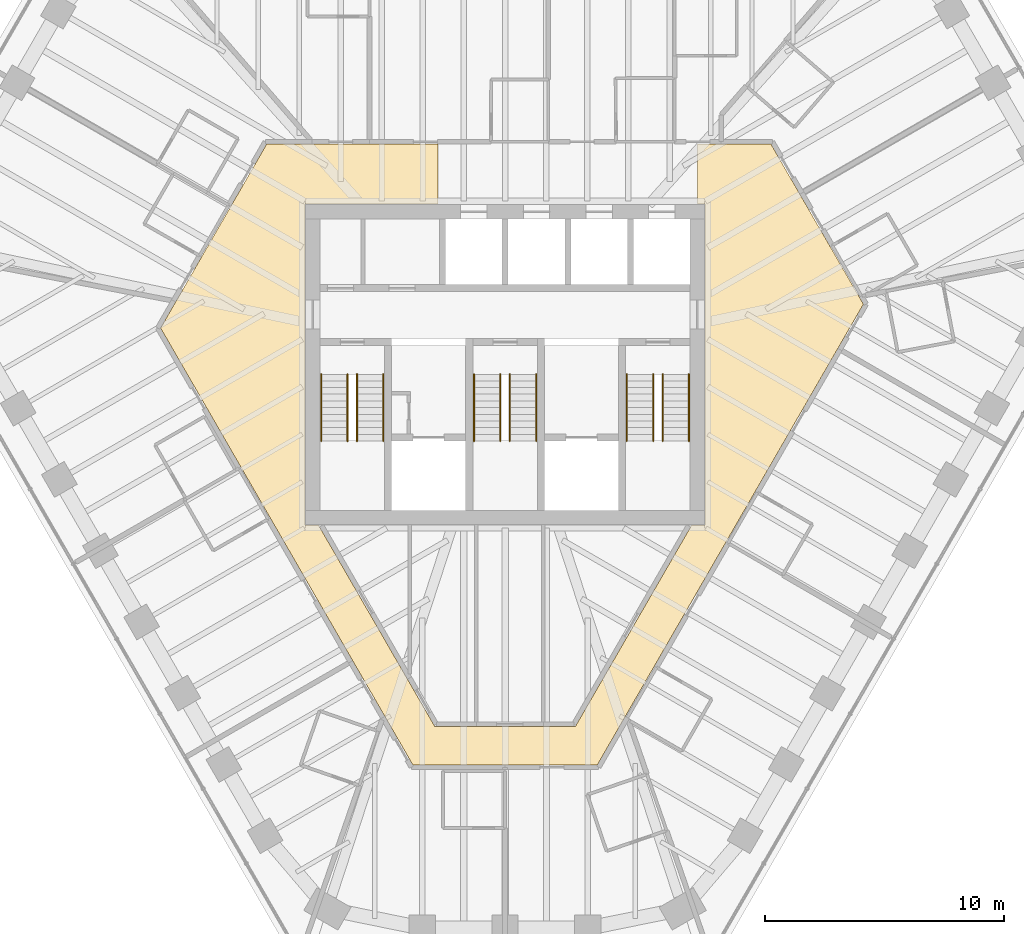
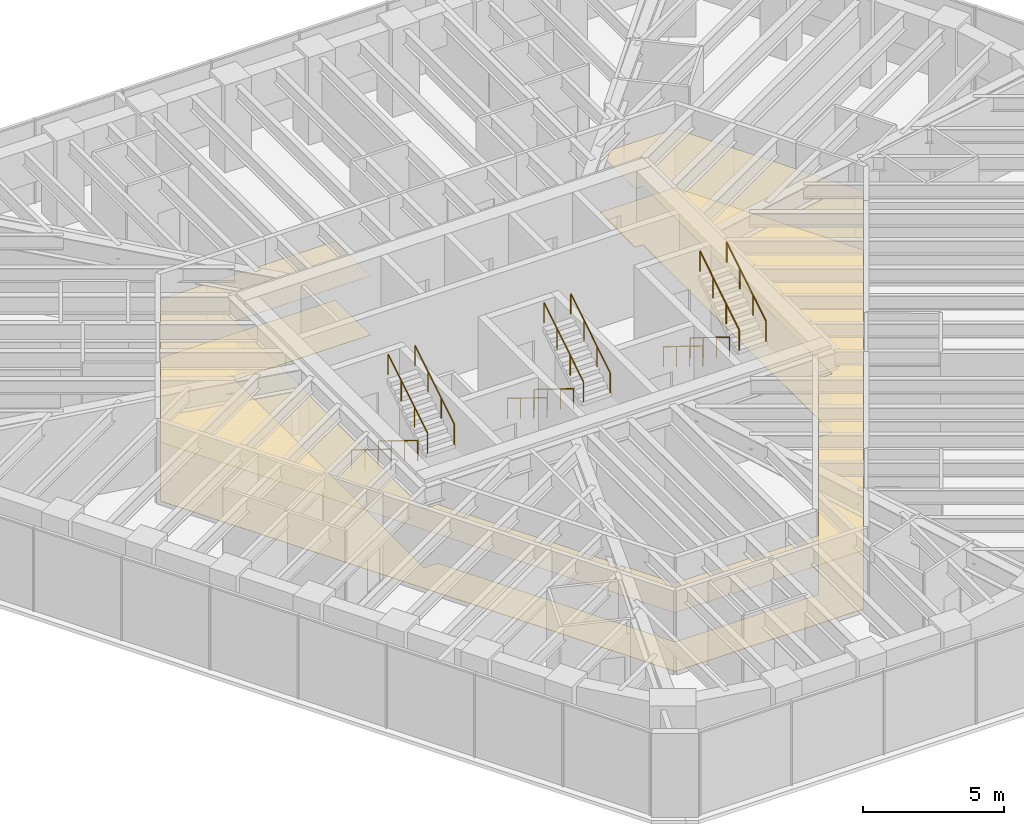
# One storey, part 14 of 14: 12 railings, 2 coverings.
"""IFC4 building model written with IfcOpenShell, lengths in metres."""

from ifc_helpers import new_model, si_unit, direction, frame, origin, origin_2d, place, context, subcontext, project, spatial, polyline, circle, outline, extrude, material, layer, layer_set, type_object, element, save


model = new_model("IFC4")

# Units and contexts
model_context = context("Model", 3, precision=1e-05, world=origin(), true_north=direction((0.0, 1.0)))
body_context = subcontext(model_context, "Body", "Model", "MODEL_VIEW")
ifc_project = project(units=[si_unit("LENGTHUNIT", "METRE"), si_unit("AREAUNIT", "SQUARE_METRE"), si_unit("VOLUMEUNIT", "CUBIC_METRE"), si_unit("PLANEANGLEUNIT", "RADIAN"), si_unit("MASSUNIT", "GRAM", prefix="KILO")], contexts=[model_context])

# Site, building, storey
site_placement = place(None, origin())
site = spatial("IfcSite", under=ifc_project, at=site_placement, CompositionType="ELEMENT")
building_placement = place(site_placement, origin())
building = spatial("IfcBuilding", under=site, at=building_placement, Name="Sandreach Pilgrim Tower", CompositionType="ELEMENT")
storey_placement = place(building_placement, frame((0.0, 0.0, 272.199951171875)))
storey = spatial("IfcBuildingStorey", under=building, at=storey_placement, Name="L68", CompositionType="ELEMENT", Elevation=272.199951171875)

# Coverings
ifc_material_1 = material(Name="Nylon carpet tile on the slab", Category="textile")
ifc_layer_1 = layer(ifc_material_1, 0.008056640625)
ifc_layer_set_1 = layer_set([ifc_layer_1], Name="Carpet tile")
covering_type_1 = type_object("IfcCoveringType", Name="Carpet tile", PredefinedType="FLOORING", material=ifc_layer_set_1)
covering_1_placement = place(storey_placement, origin())
element("IfcCovering", 1, at=covering_1_placement, inside=storey, type_object=covering_type_1, Name="Floor finish 68C Corridor 68", PredefinedType="FLOORING", context=body_context, shape_type="SweptSolid", body=[
    extrude(outline(polyline([(-14.424560546875, 1.530029296875), (-9.982177734375, 9.22998046875), (-2.800048828125, 9.22998046875), (-2.800048828125, 6.719970703125), (-8.3701171875, 6.719970703125), (-8.3701171875, -6.719970703125), (-7.812744140625, -6.719970703125), (-2.937744140625, -15.159912109375), (2.937744140625, -15.159912109375), (7.812744140625, -6.719970703125), (8.3701171875, -6.719970703125), (8.3701171875, 6.719970703125), (8.050048828125, 6.719970703125), (8.050048828125, 9.22998046875), (11.13232421875, 9.22998046875), (15.004150390625, 2.529541015625), (3.8623046875, -16.760009765625), (-3.8623046875, -16.760009765625), (-14.424560546875, 1.530029296875)])), origin(), (0.0, 0.0, 1.0), 0.008056640625),
])
ifc_material_2 = material(Name="Gypsum board suspended ceiling on a steel grid", Category="steel")
ifc_layer_2 = layer(ifc_material_2, 0.012939453125)
ifc_layer_set_2 = layer_set([ifc_layer_2], Name="Gypsum board suspended ceiling")
covering_type_2 = type_object("IfcCoveringType", Name="Gypsum board suspended ceiling", PredefinedType="CEILING", material=ifc_layer_set_2)
covering_2_placement = place(storey_placement, frame((0.0, 0.0, 2.550048828125)))
element("IfcCovering", 2, at=covering_2_placement, inside=storey, type_object=covering_type_2, Name="Ceiling 68C Corridor 68", PredefinedType="CEILING", context=body_context, shape_type="SweptSolid", body=[
    extrude(outline(polyline([(-14.424560546875, 1.530029296875), (-9.982177734375, 9.22998046875), (-2.800048828125, 9.22998046875), (-2.800048828125, 6.719970703125), (-8.3701171875, 6.719970703125), (-8.3701171875, -6.719970703125), (-7.812744140625, -6.719970703125), (-2.937744140625, -15.159912109375), (2.937744140625, -15.159912109375), (7.812744140625, -6.719970703125), (8.3701171875, -6.719970703125), (8.3701171875, 6.719970703125), (8.050048828125, 6.719970703125), (8.050048828125, 9.22998046875), (11.13232421875, 9.22998046875), (15.004150390625, 2.529541015625), (3.8623046875, -16.760009765625), (-3.8623046875, -16.760009765625), (-14.424560546875, 1.530029296875)])), origin(), (0.0, 0.0, 1.0), 0.012939453125),
])

# Railings
ifc_material_3 = material(Name="Stainless steel tube", Category="steel")
railing_type = type_object("IfcRailingType", Name="Stair handrail", PredefinedType="HANDRAIL", material=ifc_material_3)
for number, where, name in (
    (3, (-6.60009765625, -0.39990234375, 0.1728515625), "Handrail ST1 L68 flight 1"),
    (4, (-7.699951171875, -0.39990234375, 0.1728515625), "Handrail ST1 L68 flight 1"),
):
    element("IfcRailing", number, at=place(storey_placement, frame(where)), inside=storey, type_object=railing_type, Name=name, PredefinedType="HANDRAIL", context=body_context, shape_type="SweptSolid", body=[
        extrude(circle(Radius=0.02392578125, at=origin_2d()), frame((0.0, 0.0, 0.8759765625), z_axis=(0.0, -0.851089632645, 0.525020415988), x_axis=(1.0, 0.0, 0.0)), (0.0, 0.0, 1.0), 3.2900390625),
        extrude(circle(Radius=0.02099609375, at=origin_2d()), origin(), (0.0, 0.0, 1.0), 0.851806640625),
        extrude(circle(Radius=0.02099609375, at=origin_2d()), frame((0.0, -0.933349609375, 0.57568359375)), (0.0, 0.0, 1.0), 0.851806640625),
        extrude(circle(Radius=0.02099609375, at=origin_2d()), frame((0.0, -1.86669921875, 1.151611328125)), (0.0, 0.0, 1.0), 0.851806640625),
        extrude(circle(Radius=0.02099609375, at=origin_2d()), frame((0.0, -2.800048828125, 1.727294921875)), (0.0, 0.0, 1.0), 0.851806640625),
    ])
for number, where, name in (
    (5, (-6.199951171875, -3.199951171875, 2.07275390625), "Handrail ST1 L68 flight 2"),
    (6, (-5.10009765625, -3.199951171875, 2.07275390625), "Handrail ST1 L68 flight 2"),
):
    element("IfcRailing", number, at=place(storey_placement, frame(where)), inside=storey, type_object=railing_type, Name=name, PredefinedType="HANDRAIL", context=body_context, shape_type="SweptSolid", body=[
        extrude(circle(Radius=0.02392578125, at=origin_2d()), frame((0.0, 0.0, 0.8759765625), z_axis=(0.0, 0.851089632645, 0.525020415988), x_axis=(-1.0, 0.0, 0.0)), (0.0, 0.0, 1.0), 3.2900390625),
        extrude(circle(Radius=0.02099609375, at=origin_2d()), origin(), (0.0, 0.0, 1.0), 0.851806640625),
        extrude(circle(Radius=0.02099609375, at=origin_2d()), frame((0.0, 0.933349609375, 0.57568359375)), (0.0, 0.0, 1.0), 0.851806640625),
        extrude(circle(Radius=0.02099609375, at=origin_2d()), frame((0.0, 1.86669921875, 1.151611328125)), (0.0, 0.0, 1.0), 0.851806640625),
        extrude(circle(Radius=0.02099609375, at=origin_2d()), frame((0.0, 2.800048828125, 1.727294921875)), (0.0, 0.0, 1.0), 0.851806640625),
    ])
for number, where, name in (
    (7, (-0.199951171875, -0.39990234375, 0.1728515625), "Handrail ST3 L68 flight 1"),
    (8, (-1.300048828125, -0.39990234375, 0.1728515625), "Handrail ST3 L68 flight 1"),
):
    element("IfcRailing", number, at=place(storey_placement, frame(where)), inside=storey, type_object=railing_type, Name=name, PredefinedType="HANDRAIL", context=body_context, shape_type="SweptSolid", body=[
        extrude(circle(Radius=0.02392578125, at=origin_2d()), frame((0.0, 0.0, 0.8759765625), z_axis=(0.0, -0.851089632645, 0.525020415988), x_axis=(1.0, 0.0, 0.0)), (0.0, 0.0, 1.0), 3.2900390625),
        extrude(circle(Radius=0.02099609375, at=origin_2d()), origin(), (0.0, 0.0, 1.0), 0.851806640625),
        extrude(circle(Radius=0.02099609375, at=origin_2d()), frame((0.0, -0.933349609375, 0.57568359375)), (0.0, 0.0, 1.0), 0.851806640625),
        extrude(circle(Radius=0.02099609375, at=origin_2d()), frame((0.0, -1.86669921875, 1.151611328125)), (0.0, 0.0, 1.0), 0.851806640625),
        extrude(circle(Radius=0.02099609375, at=origin_2d()), frame((0.0, -2.800048828125, 1.727294921875)), (0.0, 0.0, 1.0), 0.851806640625),
    ])
for number, where, name in (
    (9, (0.199951171875, -3.199951171875, 2.07275390625), "Handrail ST3 L68 flight 2"),
    (10, (1.300048828125, -3.199951171875, 2.07275390625), "Handrail ST3 L68 flight 2"),
):
    element("IfcRailing", number, at=place(storey_placement, frame(where)), inside=storey, type_object=railing_type, Name=name, PredefinedType="HANDRAIL", context=body_context, shape_type="SweptSolid", body=[
        extrude(circle(Radius=0.02392578125, at=origin_2d()), frame((0.0, 0.0, 0.8759765625), z_axis=(0.0, 0.851089632645, 0.525020415988), x_axis=(-1.0, 0.0, 0.0)), (0.0, 0.0, 1.0), 3.2900390625),
        extrude(circle(Radius=0.02099609375, at=origin_2d()), origin(), (0.0, 0.0, 1.0), 0.851806640625),
        extrude(circle(Radius=0.02099609375, at=origin_2d()), frame((0.0, 0.933349609375, 0.57568359375)), (0.0, 0.0, 1.0), 0.851806640625),
        extrude(circle(Radius=0.02099609375, at=origin_2d()), frame((0.0, 1.86669921875, 1.151611328125)), (0.0, 0.0, 1.0), 0.851806640625),
        extrude(circle(Radius=0.02099609375, at=origin_2d()), frame((0.0, 2.800048828125, 1.727294921875)), (0.0, 0.0, 1.0), 0.851806640625),
    ])
for number, where, name in (
    (11, (6.199951171875, -0.39990234375, 0.1728515625), "Handrail ST2 L68 flight 1"),
    (12, (5.10009765625, -0.39990234375, 0.1728515625), "Handrail ST2 L68 flight 1"),
):
    element("IfcRailing", number, at=place(storey_placement, frame(where)), inside=storey, type_object=railing_type, Name=name, PredefinedType="HANDRAIL", context=body_context, shape_type="SweptSolid", body=[
        extrude(circle(Radius=0.02392578125, at=origin_2d()), frame((0.0, 0.0, 0.8759765625), z_axis=(0.0, -0.851089632645, 0.525020415988), x_axis=(1.0, 0.0, 0.0)), (0.0, 0.0, 1.0), 3.2900390625),
        extrude(circle(Radius=0.02099609375, at=origin_2d()), origin(), (0.0, 0.0, 1.0), 0.851806640625),
        extrude(circle(Radius=0.02099609375, at=origin_2d()), frame((0.0, -0.933349609375, 0.57568359375)), (0.0, 0.0, 1.0), 0.851806640625),
        extrude(circle(Radius=0.02099609375, at=origin_2d()), frame((0.0, -1.86669921875, 1.151611328125)), (0.0, 0.0, 1.0), 0.851806640625),
        extrude(circle(Radius=0.02099609375, at=origin_2d()), frame((0.0, -2.800048828125, 1.727294921875)), (0.0, 0.0, 1.0), 0.851806640625),
    ])
for number, where, name in (
    (13, (6.60009765625, -3.199951171875, 2.07275390625), "Handrail ST2 L68 flight 2"),
    (14, (7.699951171875, -3.199951171875, 2.07275390625), "Handrail ST2 L68 flight 2"),
):
    element("IfcRailing", number, at=place(storey_placement, frame(where)), inside=storey, type_object=railing_type, Name=name, PredefinedType="HANDRAIL", context=body_context, shape_type="SweptSolid", body=[
        extrude(circle(Radius=0.02392578125, at=origin_2d()), frame((0.0, 0.0, 0.8759765625), z_axis=(0.0, 0.851089632645, 0.525020415988), x_axis=(-1.0, 0.0, 0.0)), (0.0, 0.0, 1.0), 3.2900390625),
        extrude(circle(Radius=0.02099609375, at=origin_2d()), origin(), (0.0, 0.0, 1.0), 0.851806640625),
        extrude(circle(Radius=0.02099609375, at=origin_2d()), frame((0.0, 0.933349609375, 0.57568359375)), (0.0, 0.0, 1.0), 0.851806640625),
        extrude(circle(Radius=0.02099609375, at=origin_2d()), frame((0.0, 1.86669921875, 1.151611328125)), (0.0, 0.0, 1.0), 0.851806640625),
        extrude(circle(Radius=0.02099609375, at=origin_2d()), frame((0.0, 2.800048828125, 1.727294921875)), (0.0, 0.0, 1.0), 0.851806640625),
    ])

save(model, "model.ifc")
